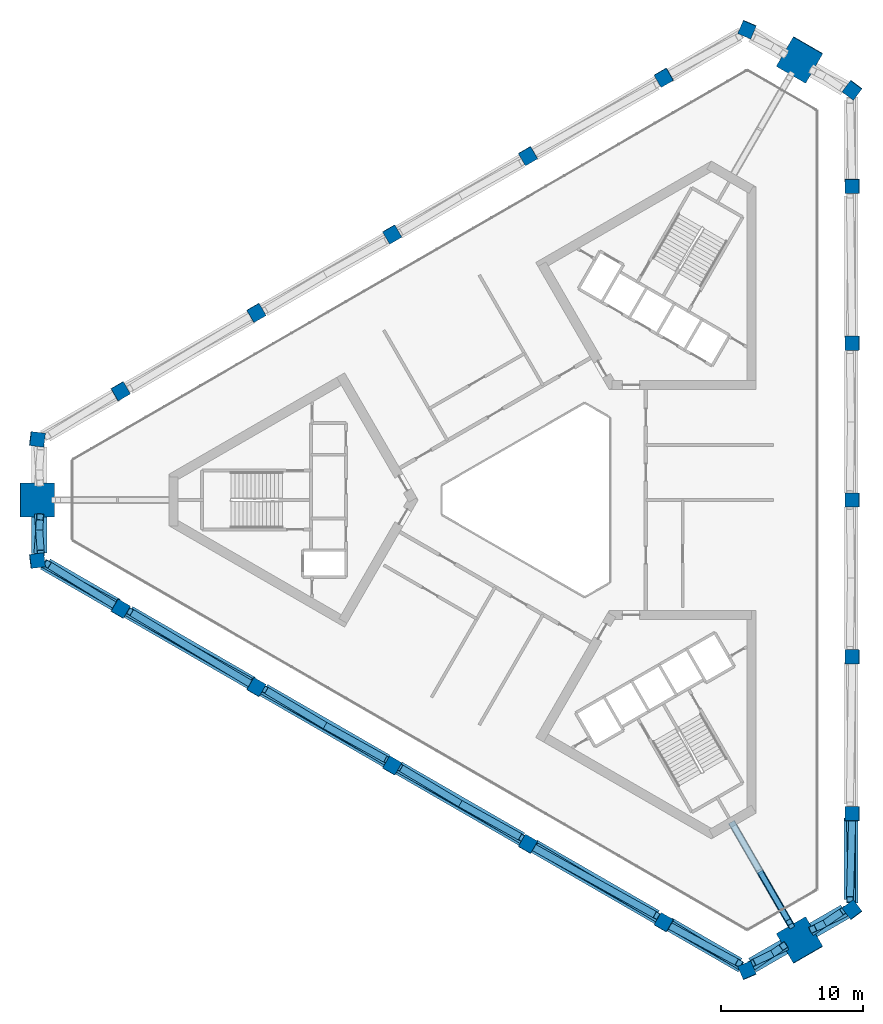
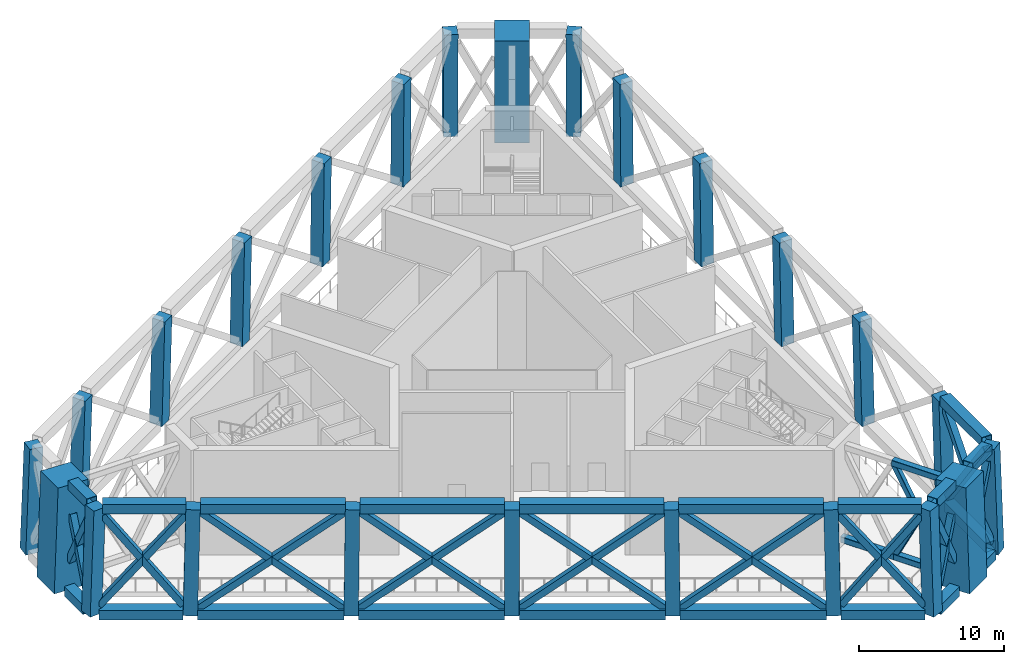
# One storey, part 1 of 8: 45 members, 24 columns.
"""IFC4 building model written with IfcOpenShell, lengths in metres."""

import ifcopenshell
import ifcopenshell.guid

model = None  # the IFC model being written
_history = None  # IfcOwnerHistory: only IFC2X3 demands one
_inside = {}  # id of a spatial element -> (the spatial element, [elements in it])
_under = {}  # id of a project, library or spatial element -> (it, [spatial elements below it])
_declared = {}  # id of a project -> (the project, [libraries it declares])
_typed = {}  # id of a type object -> (the type object, [elements of that type])
_made_of = {}  # id of a material, layer set ... -> (it, [elements and type objects made of it])


def new_model(schema):
    """Start an empty IFC model of exactly this schema.

    Asked for "IFC4X3", IfcOpenShell would pick the latest addendum, in which some entities
    have other attributes; the version numbers below select the first issue.
    IFC2X3 requires an IfcOwnerHistory on every rooted entity: one is made here for all.
    """
    global model, _history
    if schema == "IFC4X3":
        model = ifcopenshell.file(schema_version=(4, 3, 0, 0))
    else:
        model = ifcopenshell.file(schema=schema)
    _inside.clear()
    _under.clear()
    _declared.clear()
    _typed.clear()
    _made_of.clear()
    _history = None
    if model.schema == "IFC2X3":
        org = make("IfcOrganization", Name="unknown")
        user = make(
            "IfcPersonAndOrganization",
            ThePerson=make("IfcPerson", FamilyName="unknown"),
            TheOrganization=org,
        )
        app = make(
            "IfcApplication",
            ApplicationDeveloper=org,
            Version="unknown",
            ApplicationFullName="unknown",
            ApplicationIdentifier="unknown",
        )
        _history = make(
            "IfcOwnerHistory",
            OwningUser=user,
            OwningApplication=app,
            ChangeAction="ADDED",
            CreationDate=0,
        )
    return model


def make(cls, **values):
    """One entity of the class cls with the attributes given. An attribute that is None is left unset."""
    return model.create_entity(
        cls, **{name: value for name, value in values.items() if value is not None}
    )


def rooted(cls, **values):
    """An entity with a GlobalId (a new one), such as an element, a storey or a relation."""
    return make(cls, GlobalId=ifcopenshell.guid.new(), OwnerHistory=_history, **values)


def si_unit(unit_type, name, prefix=None):
    """IfcSIUnit, for example si_unit("LENGTHUNIT", "METRE", prefix="MILLI")."""
    return make("IfcSIUnit", UnitType=unit_type, Prefix=prefix, Name=name)


def assignment(units):
    """IfcUnitAssignment: the units of a project."""
    return None if units is None else make("IfcUnitAssignment", Units=units)


def point(xyz):
    """IfcCartesianPoint."""
    return None if xyz is None else make("IfcCartesianPoint", Coordinates=xyz)


def direction(xyz):
    """IfcDirection."""
    return None if xyz is None else make("IfcDirection", DirectionRatios=xyz)


def frame(location, z_axis=None, x_axis=None):
    """IfcAxis2Placement3D, a coordinate frame: its origin and axes. An axis left out is left unset."""
    return make(
        "IfcAxis2Placement3D",
        Location=point(location),
        Axis=direction(z_axis),
        RefDirection=direction(x_axis),
    )


def frame_2d(location, x_axis=None):
    """IfcAxis2Placement2D, a coordinate frame in the plane: its origin and x axis."""
    return make(
        "IfcAxis2Placement2D", Location=point(location), RefDirection=direction(x_axis)
    )


def origin():
    """The frame at (0, 0, 0) with its axes left unset."""
    return frame((0.0, 0.0, 0.0))


def origin_2d():
    """The frame at (0, 0) in the plane with its x axis left unset."""
    return frame_2d((0.0, 0.0))


def place(relative_to, where):
    """IfcLocalPlacement: puts the frame where relative to a parent placement (None: the world)."""
    return make(
        "IfcLocalPlacement", PlacementRelTo=relative_to, RelativePlacement=where
    )


def context(
    kind, dimensions, precision=None, world=None, true_north=None, identifier=None
):
    """IfcGeometricRepresentationContext, for example the 3D "Model" context."""
    return make(
        "IfcGeometricRepresentationContext",
        ContextIdentifier=identifier,
        ContextType=kind,
        CoordinateSpaceDimension=dimensions,
        Precision=precision,
        WorldCoordinateSystem=world,
        TrueNorth=true_north,
    )


def subcontext(parent, identifier, kind, view, scale=None):
    """IfcGeometricRepresentationSubContext, for example "Body" below "Model"."""
    return make(
        "IfcGeometricRepresentationSubContext",
        ContextIdentifier=identifier,
        ContextType=kind,
        ParentContext=parent,
        TargetScale=scale,
        TargetView=view,
    )


def project(units=None, contexts=None):
    """IfcProject with its units and contexts."""
    return rooted(
        "IfcProject",
        Name="project",
        RepresentationContexts=contexts,
        UnitsInContext=assignment(units),
    )


def spatial(cls, under=None, at=None, **own):
    """A site, building, storey or space (cls), placed at a placement, below another one or the project."""
    s = rooted(cls, ObjectPlacement=at, **own)
    if under is not None:
        _under.setdefault(under.id(), (under, []))[1].append(s)
    return s


def profile(cls, at=None, kind="AREA", **sizes):
    """A parametric profile (cls). Its sizes go by their IFC names, for example OverallWidth=200.0."""
    return make(cls, ProfileType=kind, Position=at, **sizes)


def rectangle(**sizes):
    """IfcRectangleProfileDef."""
    return profile("IfcRectangleProfileDef", **sizes)


def hollow_rectangle(**sizes):
    """IfcRectangleHollowProfileDef."""
    return profile("IfcRectangleHollowProfileDef", **sizes)


def extrude(swept, where, along, depth):
    """IfcExtrudedAreaSolid: the profile swept, set in the frame where, extruded along a direction by depth."""
    return make(
        "IfcExtrudedAreaSolid",
        SweptArea=swept,
        Position=where,
        ExtrudedDirection=direction(along),
        Depth=depth,
    )


def shape(context_of_items, identifier, shape_type, items):
    """IfcShapeRepresentation: the items that make up one representation, for example the "Body"."""
    return make(
        "IfcShapeRepresentation",
        ContextOfItems=context_of_items,
        RepresentationIdentifier=identifier,
        RepresentationType=shape_type,
        Items=items,
    )


def material(Name=None, Category=None):
    """IfcMaterial."""
    return make("IfcMaterial", Name=Name, Category=Category)


def material_profile(
    of_material, cross_section, Name=None, Category=None, Priority=None
):
    """IfcMaterialProfile: a cross section and its material."""
    return make(
        "IfcMaterialProfile",
        Name=Name,
        Material=of_material,
        Profile=cross_section,
        Priority=Priority,
        Category=Category,
    )


def profile_set(profiles, Name=None, composite=None):
    """IfcMaterialProfileSet."""
    return make(
        "IfcMaterialProfileSet",
        Name=Name,
        MaterialProfiles=profiles,
        CompositeProfile=composite,
    )


def made_of(thing, what):
    """Note that an element or type object is made of a material, layer set ...; save() writes the relation."""
    if what is not None:
        _made_of.setdefault(what.id(), (what, []))[1].append(thing)
    return thing


def type_object(cls, material=None, **own):
    """A type object (cls), such as IfcWallType, which elements share."""
    return made_of(rooted(cls, **own), material)


def element(
    cls,
    number,
    at=None,
    inside=None,
    cuts=None,
    type_object=None,
    material=None,
    context=None,
    identifier="Body",
    shape_type=None,
    held_by="IfcProductDefinitionShape",
    body=None,
    shapes=None,
    **own,
):
    """One element of the class cls, such as IfcWall. Its Tag is "e" and its number.

    at: its placement. inside: the storey or other place that contains it. cuts: it is an
    opening in that element (IfcRelVoidsElement). A single representation is given by context,
    identifier, shape_type and body (its items); several are given by shapes. held_by: the class
    of the entity that holds the representations. save() writes the other relations.
    """
    e = rooted(cls, Tag="e%d" % number, ObjectPlacement=at, **own)
    if body is not None:
        shapes = [shape(context, identifier, shape_type, body)]
    if shapes is not None:
        e.Representation = make(held_by, Representations=shapes)
    if inside is not None:
        _inside.setdefault(inside.id(), (inside, []))[1].append(e)
    if cuts is not None:
        rooted(
            "IfcRelVoidsElement", RelatingBuildingElement=cuts, RelatedOpeningElement=e
        )
    if type_object is not None:
        _typed.setdefault(type_object.id(), (type_object, []))[1].append(e)
    return made_of(e, material)


def aggregate(whole, parts):
    """IfcRelAggregates: a whole, such as a stair, and the parts it consists of."""
    return rooted("IfcRelAggregates", RelatingObject=whole, RelatedObjects=parts)


def save(model, path):
    """Write the relations noted so far, then the file.

    IfcRelAggregates (storeys below a building ...), IfcRelContainedInSpatialStructure (elements
    in a storey), IfcRelDefinesByType, IfcRelAssociatesMaterial and IfcRelDeclares: one each for
    every whole, place, type object, material and project.
    """
    for whole, parts in _under.values():
        aggregate(whole, parts)
    for where, things in _inside.values():
        rooted(
            "IfcRelContainedInSpatialStructure",
            RelatedElements=things,
            RelatingStructure=where,
        )
    for kind, things in _typed.values():
        rooted("IfcRelDefinesByType", RelatedObjects=things, RelatingType=kind)
    for what, things in _made_of.values():
        rooted("IfcRelAssociatesMaterial", RelatedObjects=things, RelatingMaterial=what)
    for by, libraries in _declared.values():
        rooted("IfcRelDeclares", RelatingContext=by, RelatedDefinitions=libraries)
    model.write(path)


model = new_model("IFC4")

# Units and contexts
model_context = context("Model", 3, precision=1e-05, world=origin(), true_north=direction((0.0, 1.0)))
body_context = subcontext(model_context, "Body", "Model", "MODEL_VIEW")
ifc_project = project(units=[si_unit("LENGTHUNIT", "METRE"), si_unit("AREAUNIT", "SQUARE_METRE"), si_unit("VOLUMEUNIT", "CUBIC_METRE"), si_unit("PLANEANGLEUNIT", "RADIAN"), si_unit("MASSUNIT", "GRAM", prefix="KILO")], contexts=[model_context])

# Site, building, storey
site_placement = place(None, origin())
site = spatial("IfcSite", under=ifc_project, at=site_placement, CompositionType="ELEMENT")
building_placement = place(site_placement, origin())
building = spatial("IfcBuilding", under=site, at=building_placement, Name="Jabali Bay Hotel Tower and Convention Centre", CompositionType="ELEMENT")
storey_placement = place(building_placement, frame((0.0, 0.0, 147.5)))
storey = spatial("IfcBuildingStorey", under=building, at=storey_placement, Name="L36", CompositionType="ELEMENT", Elevation=147.5)

# Columns
ifc_material_1 = material(Name="Concrete C60", Category="concrete")
ifc_material_profile_1 = material_profile(ifc_material_1, rectangle(XDim=1.0, YDim=1.0, at=origin_2d()), Name="Frame column 1000")
ifc_profile_set_1 = profile_set([ifc_material_profile_1], Name="Concrete C60")
column_type_1 = type_object("IfcColumnType", Name="Frame column 1000", PredefinedType="COLUMN", material=ifc_profile_set_1)
column_1_placement = place(storey_placement, frame((83.3642578125, 109.860595703125, 0.0), z_axis=(-0.008374802331, -0.02814710055, 0.999568708702), x_axis=(0.865904872114, 0.499753825252, 0.02132760172)))
element("IfcColumn", 1, at=column_1_placement, inside=storey, type_object=column_type_1, Name="FC3 F1.1 L36", PredefinedType="COLUMN", context=body_context, shape_type="SweptSolid", body=[
    extrude(rectangle(XDim=1.0, YDim=1.0, at=origin_2d()), origin(), (0.0, 0.0, 1.0), 8.803955078125),
])
column_2_placement = place(storey_placement, frame((73.7626953125, 104.31689453125, 0.0), z_axis=(0.0008598122, -0.022798891243, 0.999739701763), x_axis=(0.865987159052, 0.499952675969, 0.010656554244)))
element("IfcColumn", 2, at=column_2_placement, inside=storey, type_object=column_type_1, Name="FC3 F1.2 L36", PredefinedType="COLUMN", context=body_context, shape_type="SweptSolid", body=[
    extrude(rectangle(XDim=1.0, YDim=1.0, at=origin_2d()), origin(), (0.0, 0.0, 1.0), 8.80224609375),
])
column_3_placement = place(storey_placement, frame((64.1611328125, 98.7734375, 0.0), z_axis=(0.010096431238, -0.017474592527, 0.999796329605), x_axis=(0.865863388405, 0.500280513932, 6.7982e-08)))
element("IfcColumn", 3, at=column_3_placement, inside=storey, type_object=column_type_1, Name="FC3 F1.3 L36", PredefinedType="COLUMN", context=body_context, shape_type="SweptSolid", body=[
    extrude(rectangle(XDim=1.0, YDim=1.0, at=origin_2d()), origin(), (0.0, 0.0, 1.0), 8.8017578125),
])
column_4_placement = place(storey_placement, frame((54.5595703125, 93.22998046875, 0.0), z_axis=(0.01933189907, -0.012148309602, 0.999739314148), x_axis=(-0.499948954406, 0.86581953587, 0.020188469356)))
element("IfcColumn", 4, at=column_4_placement, inside=storey, type_object=column_type_1, Name="FC3 F1.4 L36", PredefinedType="COLUMN", context=body_context, shape_type="SweptSolid", body=[
    extrude(rectangle(XDim=1.0, YDim=1.0, at=origin_2d()), origin(), (0.0, 0.0, 1.0), 8.80224609375),
])
for number, where, z_axis, x_axis, name in (
    (5, (44.9580078125, 87.6865234375, 0.0), (0.028535359154, -0.006821864288, 0.99956950506), (-0.499430588716, 0.866119109695, 0.020168660751), "FC3 F1.5 L36"),
    (6, (44.9580078125, 72.3134765625, 0.0), (0.028535359154, 0.006821864288, 0.99956950506), (-0.865883837667, 0.499791106353, 0.021307972168), "FC3 F2.1 L36"),
):
    element("IfcColumn", number, at=place(storey_placement, frame(where, z_axis=z_axis, x_axis=x_axis)), inside=storey, type_object=column_type_1, Name=name, PredefinedType="COLUMN", context=body_context, shape_type="SweptSolid", body=[
        extrude(rectangle(XDim=1.0, YDim=1.0, at=origin_2d()), origin(), (0.0, 0.0, 1.0), 8.803955078125),
    ])
column_5_placement = place(storey_placement, frame((54.5595703125, 66.77001953125, 0.0), z_axis=(0.01933189907, 0.012148309602, 0.999739314148), x_axis=(-0.865839084742, 0.500208906238, 0.010664401197)))
element("IfcColumn", 7, at=column_5_placement, inside=storey, type_object=column_type_1, Name="FC3 F2.2 L36", PredefinedType="COLUMN", context=body_context, shape_type="SweptSolid", body=[
    extrude(rectangle(XDim=1.0, YDim=1.0, at=origin_2d()), origin(), (0.0, 0.0, 1.0), 8.80224609375),
])
column_6_placement = place(storey_placement, frame((64.1611328125, 61.2265625, 0.0), z_axis=(0.010096431238, 0.017474592527, 0.999796329605), x_axis=(-0.50017862279, -0.865687036981, 0.020181657705)))
element("IfcColumn", 8, at=column_6_placement, inside=storey, type_object=column_type_1, Name="FC3 F2.3 L36", PredefinedType="COLUMN", context=body_context, shape_type="SweptSolid", body=[
    extrude(rectangle(XDim=1.0, YDim=1.0, at=origin_2d()), origin(), (0.0, 0.0, 1.0), 8.8017578125),
])
column_7_placement = place(storey_placement, frame((73.7626953125, 55.68310546875, 0.0), z_axis=(0.0008598122, 0.022798891243, 0.999739701763), x_axis=(-0.500065496791, -0.865752581486, 0.020173412467)))
element("IfcColumn", 9, at=column_7_placement, inside=storey, type_object=column_type_1, Name="FC3 F2.4 L36", PredefinedType="COLUMN", context=body_context, shape_type="SweptSolid", body=[
    extrude(rectangle(XDim=1.0, YDim=1.0, at=origin_2d()), origin(), (0.0, 0.0, 1.0), 8.80224609375),
])
for number, where, z_axis, x_axis, name in (
    (10, (83.3642578125, 50.139404296875, 0.0), (-0.008374802331, 0.02814710055, 0.999568708702), (-0.500138595926, -0.865710029327, 0.020187372002), "FC3 F2.5 L36"),
    (11, (96.677734375, 57.826171875, 0.0), (-0.020160557934, 0.021297535754, 0.99956989094), (-0.000170873434, -0.999773148321, 0.021298420112), "FC3 F0.1 L36"),
):
    element("IfcColumn", number, at=place(storey_placement, frame(where, z_axis=z_axis, x_axis=x_axis)), inside=storey, type_object=column_type_1, Name=name, PredefinedType="COLUMN", context=body_context, shape_type="SweptSolid", body=[
        extrude(rectangle(XDim=1.0, YDim=1.0, at=origin_2d()), origin(), (0.0, 0.0, 1.0), 8.803955078125),
    ])
column_8_placement = place(storey_placement, frame((96.677734375, 68.9130859375, 0.0), z_axis=(-0.020163988006, 0.010650579635, 0.999739955559), x_axis=(-6.8914813e-05, -0.999943270328, 0.010651355659)))
element("IfcColumn", 12, at=column_8_placement, inside=storey, type_object=column_type_1, Name="FC3 F0.2 L36", PredefinedType="COLUMN", context=body_context, shape_type="SweptSolid", body=[
    extrude(rectangle(XDim=1.0, YDim=1.0, at=origin_2d()), origin(), (0.0, 0.0, 1.0), 8.80224609375),
])
column_9_placement = place(storey_placement, frame((96.677734375, 80.0, 0.0), z_axis=(-0.020165131753, 0.0, 0.999796663058), x_axis=(0.0, -1.0, 0.0)))
element("IfcColumn", 13, at=column_9_placement, inside=storey, type_object=column_type_1, Name="FC3 F0.3 L36", PredefinedType="COLUMN", context=body_context, shape_type="SweptSolid", body=[
    extrude(rectangle(XDim=1.0, YDim=1.0, at=origin_2d()), origin(), (0.0, 0.0, 1.0), 8.8017578125),
])
column_10_placement = place(storey_placement, frame((96.677734375, 91.0869140625, 0.0), z_axis=(-0.020163988006, -0.010650579635, 0.999739955559), x_axis=(0.99979668375, -0.000145876916, 0.020163578093)))
element("IfcColumn", 14, at=column_10_placement, inside=storey, type_object=column_type_1, Name="FC3 F0.4 L36", PredefinedType="COLUMN", context=body_context, shape_type="SweptSolid", body=[
    extrude(rectangle(XDim=1.0, YDim=1.0, at=origin_2d()), origin(), (0.0, 0.0, 1.0), 8.80224609375),
])
column_11_placement = place(storey_placement, frame((96.677734375, 102.173828125, 0.0), z_axis=(-0.020160557934, -0.021297535754, 0.99956989094), x_axis=(0.999796740696, -0.000258588093, 0.02015962366)))
element("IfcColumn", 15, at=column_11_placement, inside=storey, type_object=column_type_1, Name="FC3 F0.5 L36", PredefinedType="COLUMN", context=body_context, shape_type="SweptSolid", body=[
    extrude(rectangle(XDim=1.0, YDim=1.0, at=origin_2d()), origin(), (0.0, 0.0, 1.0), 8.803955078125),
])
for number, where, z_axis, x_axis, name in (
    (16, (96.677734375, 51.025390625, 0.0), (-0.020156649843, 0.029001177078, 0.999376125988), (-0.800984201578, -0.598684244769, 0.001218149687), "FC3 V0 L36"),
    (17, (96.677734375, 108.974609375, 0.0), (-0.020156649843, -0.029001177078, 0.999376125988), (0.598346069002, 0.800459934534, 0.035296953355), "FC3 V1 L36"),
    (18, (89.25390625, 113.260986328125, 0.0), (-0.015027362188, -0.03199552761, 0.99937503701), (0.919252946371, -0.393665510561, 0.001219173193), "FC3 V2 L36"),
):
    element("IfcColumn", number, at=place(storey_placement, frame(where, z_axis=z_axis, x_axis=x_axis)), inside=storey, type_object=column_type_1, Name=name, PredefinedType="COLUMN", context=body_context, shape_type="SweptSolid", body=[
        extrude(rectangle(XDim=1.0, YDim=1.0, at=origin_2d()), origin(), (0.0, 0.0, 1.0), 8.8056640625),
    ])
for number, where, z_axis, x_axis, name in (
    (19, (39.068359375, 84.2861328125, 0.0), (0.035184039698, -0.002966660558, 0.999376446729), (-0.992352198715, 0.118287273807, 0.035287881217), "FC3 V3 L36"),
    (20, (39.068359375, 75.7138671875, 0.0), (0.035184039698, 0.002966660558, 0.999376446729), (-0.118318202556, 0.992974984469, 0.00121785201), "FC3 V4 L36"),
):
    element("IfcColumn", number, at=place(storey_placement, frame(where, z_axis=z_axis, x_axis=x_axis)), inside=storey, type_object=column_type_1, Name=name, PredefinedType="COLUMN", context=body_context, shape_type="SweptSolid", body=[
        extrude(rectangle(XDim=1.0, YDim=1.0, at=origin_2d()), origin(), (0.0, 0.0, 1.0), 8.805419921875),
    ])
column_12_placement = place(storey_placement, frame((89.25390625, 46.739013671875, 0.0), z_axis=(-0.015027362188, 0.03199552761, 0.99937503701), x_axis=(0.393380476097, -0.918696768258, 0.035327737234)))
element("IfcColumn", 21, at=column_12_placement, inside=storey, type_object=column_type_1, Name="FC3 V5 L36", PredefinedType="COLUMN", context=body_context, shape_type="SweptSolid", body=[
    extrude(rectangle(XDim=1.0, YDim=1.0, at=origin_2d()), origin(), (0.0, 0.0, 1.0), 8.8056640625),
])
ifc_material_2 = material(Name="Concrete C70", Category="concrete")
ifc_material_profile_2 = material_profile(ifc_material_2, rectangle(XDim=2.39990234375, YDim=2.39990234375, at=origin_2d()), Name="Mega column 2400")
ifc_profile_set_2 = profile_set([ifc_material_profile_2], Name="Concrete C70")
column_type_2 = type_object("IfcColumnType", Name="Mega column 2400", PredefinedType="COLUMN", material=ifc_profile_set_2)
for number, where, z_axis, x_axis, name in (
    (22, (92.9658203125, 111.11767578125, 0.0), (-0.017605955724, -0.030470780065, 0.999380589108), (0.865858623578, -0.500288760593, 7.9847e-08), "MC3 M1 L36"),
    (23, (39.068359375, 80.0, 0.0), (0.035184194527, 0.0, 0.999380844551), (0.0, 1.0, 0.0), "MC3 M0 L36"),
    (24, (92.9658203125, 48.88232421875, 0.0), (-0.017605955724, 0.030470780065, 0.999380589108), (0.499980264163, -0.865321499405, 0.035191449455), "MC3 M2 L36"),
):
    element("IfcColumn", number, at=place(storey_placement, frame(where, z_axis=z_axis, x_axis=x_axis)), inside=storey, type_object=column_type_2, Name=name, PredefinedType="COLUMN", context=body_context, shape_type="SweptSolid", body=[
        extrude(rectangle(XDim=2.39990234375, YDim=2.39990234375, at=origin_2d()), origin(), (0.0, 0.0, 1.0), 8.805419921875),
    ])

# Members
ifc_material_3 = material(Name="Steel Q420GJC", Category="steel")
ifc_material_profile_3 = material_profile(ifc_material_3, hollow_rectangle(XDim=0.5, YDim=0.5, WallThickness=0.030029296875, at=origin_2d()), Name="Belt brace 500x500x30")
ifc_profile_set_3 = profile_set([ifc_material_profile_3], Name="Steel Q420GJC")
member_type_1 = type_object("IfcMemberType", Name="Belt brace 500x500x30", PredefinedType="BRACE", material=ifc_profile_set_3)
member_1_placement = place(storey_placement, frame((39.1552734375, 78.80322265625, 2.472412109375), z_axis=(0.031717834213, -0.435508667413, 0.899625577449), x_axis=(0.997358443091, 0.072637015324, 0.0)))
element("IfcMember", 25, at=member_1_placement, inside=storey, type_object=member_type_1, Name="Belt brace T3 M0-V4 x1", PredefinedType="BRACE", context=body_context, shape_type="SweptSolid", body=[
    extrude(hollow_rectangle(XDim=0.5, YDim=0.5, WallThickness=0.030029296875, at=origin_2d()), origin(), (0.0, 0.0, 1.0), 5.888427734375),
])
member_2_placement = place(storey_placement, frame((39.104248046875, 76.21240234375, 1.02392578125), z_axis=(0.031676253401, 0.437693230588, 0.898566219523), x_axis=(-0.997391468623, 0.072182119101, 0.0)))
element("IfcMember", 26, at=member_2_placement, inside=storey, type_object=member_type_1, Name="Belt brace T3 M0-V4 x2", PredefinedType="BRACE", context=body_context, shape_type="SweptSolid", body=[
    extrude(hollow_rectangle(XDim=0.5, YDim=0.5, WallThickness=0.030029296875, at=origin_2d()), origin(), (0.0, 0.0, 1.0), 5.919189453125),
])
member_3_placement = place(storey_placement, frame((39.507568359375, 75.474853515625, 0.62939453125), z_axis=(0.546401618231, -0.29721915907, 0.783010883115), x_axis=(0.477838158357, 0.878447889415, 0.0)))
element("IfcMember", 27, at=member_3_placement, inside=storey, type_object=member_type_1, Name="Belt brace T3 V4-F2.1 x1", PredefinedType="BRACE", context=body_context, shape_type="SweptSolid", body=[
    extrude(hollow_rectangle(XDim=0.5, YDim=0.5, WallThickness=0.030029296875, at=origin_2d()), origin(), (0.0, 0.0, 1.0), 9.631103515625),
])
member_4_placement = place(storey_placement, frame((44.53173828125, 72.5751953125, 0.671875), z_axis=(-0.508670400837, 0.312379266454, 0.802292725382), x_axis=(-0.52330900872, -0.852142993512, 0.0)))
element("IfcMember", 28, at=member_4_placement, inside=storey, type_object=member_type_1, Name="Belt brace T3 V4-F2.1 x2", PredefinedType="BRACE", context=body_context, shape_type="SweptSolid", body=[
    extrude(hollow_rectangle(XDim=0.5, YDim=0.5, WallThickness=0.030029296875, at=origin_2d()), origin(), (0.0, 0.0, 1.0), 9.29345703125),
])
member_5_placement = place(storey_placement, frame((45.394775390625, 72.0703125, 0.3935546875), z_axis=(0.686721551989, -0.382062583265, 0.618418703228), x_axis=(0.486178247297, 0.873859663707, 0.0)))
element("IfcMember", 29, at=member_5_placement, inside=storey, type_object=member_type_1, Name="Belt brace T3 F2.1-F2.2 x1", PredefinedType="BRACE", context=body_context, shape_type="SweptSolid", body=[
    extrude(hollow_rectangle(XDim=0.5, YDim=0.5, WallThickness=0.030029296875, at=origin_2d()), origin(), (0.0, 0.0, 1.0), 12.95703125),
])
member_6_placement = place(storey_placement, frame((54.130615234375, 67.02685546875, 0.403564453125), z_axis=(-0.667417396872, 0.399989951778, 0.628141748995), x_axis=(-0.514060535128, -0.857753907729, 0.0)))
element("IfcMember", 30, at=member_6_placement, inside=storey, type_object=member_type_1, Name="Belt brace T3 F2.1-F2.2 x2", PredefinedType="BRACE", context=body_context, shape_type="SweptSolid", body=[
    extrude(hollow_rectangle(XDim=0.5, YDim=0.5, WallThickness=0.030029296875, at=origin_2d()), origin(), (0.0, 0.0, 1.0), 12.724365234375),
])
member_7_placement = place(storey_placement, frame((54.99658203125, 66.52685546875, 0.396728515625), z_axis=(0.684542449385, -0.380733138455, 0.621646131068), x_axis=(0.48606409793, 0.873923161785, 0.0)))
element("IfcMember", 31, at=member_7_placement, inside=storey, type_object=member_type_1, Name="Belt brace T3 F2.2-F2.3 x1", PredefinedType="BRACE", context=body_context, shape_type="SweptSolid", body=[
    extrude(hollow_rectangle(XDim=0.5, YDim=0.5, WallThickness=0.030029296875, at=origin_2d()), origin(), (0.0, 0.0, 1.0), 12.879150390625),
])
member_8_placement = place(storey_placement, frame((63.732177734375, 61.4833984375, 0.400146484375), z_axis=(-0.669723943312, 0.401227918542, 0.624888787815), x_axis=(-0.513924475199, -0.857835435146, 0.0)))
element("IfcMember", 32, at=member_8_placement, inside=storey, type_object=member_type_1, Name="Belt brace T3 F2.2-F2.3 x2", PredefinedType="BRACE", context=body_context, shape_type="SweptSolid", body=[
    extrude(hollow_rectangle(XDim=0.5, YDim=0.5, WallThickness=0.030029296875, at=origin_2d()), origin(), (0.0, 0.0, 1.0), 12.802001953125),
])
member_9_placement = place(storey_placement, frame((64.59814453125, 60.9833984375, 0.400146484375), z_axis=(0.682335261917, -0.379376040843, 0.624893918981), x_axis=(0.485937417008, 0.873993607958, 0.0)))
element("IfcMember", 33, at=member_9_placement, inside=storey, type_object=member_type_1, Name="Belt brace T3 F2.3-F2.4 x1", PredefinedType="BRACE", context=body_context, shape_type="SweptSolid", body=[
    extrude(hollow_rectangle(XDim=0.5, YDim=0.5, WallThickness=0.030029296875, at=origin_2d()), origin(), (0.0, 0.0, 1.0), 12.8017578125),
])
member_10_placement = place(storey_placement, frame((73.333740234375, 55.93994140625, 0.396728515625), z_axis=(-0.671991516714, 0.402474580617, 0.621644282063), x_axis=(-0.513819412398, -0.857898368948, 0.0)))
element("IfcMember", 34, at=member_10_placement, inside=storey, type_object=member_type_1, Name="Belt brace T3 F2.3-F2.4 x2", PredefinedType="BRACE", context=body_context, shape_type="SweptSolid", body=[
    extrude(hollow_rectangle(XDim=0.5, YDim=0.5, WallThickness=0.030029296875, at=origin_2d()), origin(), (0.0, 0.0, 1.0), 12.87939453125),
])
member_11_placement = place(storey_placement, frame((74.19970703125, 55.440185546875, 0.403564453125), z_axis=(0.680100698649, -0.378021327224, 0.628142432782), x_axis=(0.485827163306, 0.874054899531, 0.0)))
element("IfcMember", 35, at=member_11_placement, inside=storey, type_object=member_type_1, Name="Belt brace T3 F2.4-F2.5 x1", PredefinedType="BRACE", context=body_context, shape_type="SweptSolid", body=[
    extrude(hollow_rectangle(XDim=0.5, YDim=0.5, WallThickness=0.030029296875, at=origin_2d()), origin(), (0.0, 0.0, 1.0), 12.724365234375),
])
member_12_placement = place(storey_placement, frame((82.935302734375, 50.396484375, 0.3935546875), z_axis=(-0.674235992286, 0.403678615509, 0.618424936501), x_axis=(-0.513688059021, -0.85797702651, 0.0)))
element("IfcMember", 36, at=member_12_placement, inside=storey, type_object=member_type_1, Name="Belt brace T3 F2.4-F2.5 x2", PredefinedType="BRACE", context=body_context, shape_type="SweptSolid", body=[
    extrude(hollow_rectangle(XDim=0.5, YDim=0.5, WallThickness=0.030029296875, at=origin_2d()), origin(), (0.0, 0.0, 1.0), 12.95703125),
])
member_13_placement = place(storey_placement, frame((83.803955078125, 49.9013671875, 0.671875), z_axis=(0.5248722981, -0.284345232965, 0.80228228148), x_axis=(0.476334184303, 0.87926432025, 0.0)))
element("IfcMember", 37, at=member_13_placement, inside=storey, type_object=member_type_1, Name="Belt brace T3 F2.5-V5 x1", PredefinedType="BRACE", context=body_context, shape_type="SweptSolid", body=[
    extrude(hollow_rectangle(XDim=0.5, YDim=0.5, WallThickness=0.030029296875, at=origin_2d()), origin(), (0.0, 0.0, 1.0), 9.29345703125),
])
member_14_placement = place(storey_placement, frame((88.827392578125, 47.0, 0.62939453125), z_axis=(-0.53060515702, 0.324593877109, 0.783005097229), x_axis=(-0.521842282181, -0.853041987553, 0.0)))
element("IfcMember", 38, at=member_14_placement, inside=storey, type_object=member_type_1, Name="Belt brace T3 F2.5-V5 x2", PredefinedType="BRACE", context=body_context, shape_type="SweptSolid", body=[
    extrude(hollow_rectangle(XDim=0.5, YDim=0.5, WallThickness=0.030029296875, at=origin_2d()), origin(), (0.0, 0.0, 1.0), 9.631103515625),
])
member_15_placement = place(storey_placement, frame((89.667724609375, 47.019775390625, 1.02392578125), z_axis=(0.363210049995, 0.246237110887, 0.898579848875), x_axis=(-0.561147389279, 0.827715897821, 0.0)))
element("IfcMember", 39, at=member_15_placement, inside=storey, type_object=member_type_1, Name="Belt brace T3 V5-M2 x1", PredefinedType="BRACE", context=body_context, shape_type="SweptSolid", body=[
    extrude(hollow_rectangle(XDim=0.5, YDim=0.5, WallThickness=0.030029296875, at=origin_2d()), origin(), (0.0, 0.0, 1.0), 5.919189453125),
])
for number, where, z_axis, x_axis, name in (
    (40, (91.8857421875, 48.359130859375, 2.472412109375), (-0.39301081435, -0.190306956205, 0.899625345477), (0.435821502568, -0.900033120446, 0.0), "Belt brace T3 V5-M2 x2"),
    (41, (93.958740234375, 49.55615234375, 2.472412109375), (0.361332250692, 0.24520010678, 0.899619870971), (-0.561517671197, 0.827464745432, 0.0), "Belt brace T3 M2-V0 x1"),
):
    element("IfcMember", number, at=place(storey_placement, frame(where, z_axis=z_axis, x_axis=x_axis)), inside=storey, type_object=member_type_1, Name=name, PredefinedType="BRACE", context=body_context, shape_type="SweptSolid", body=[
        extrude(hollow_rectangle(XDim=0.5, YDim=0.5, WallThickness=0.030029296875, at=origin_2d()), origin(), (0.0, 0.0, 1.0), 5.888427734375),
    ])
member_16_placement = place(storey_placement, frame((96.227783203125, 50.80712890625, 1.02392578125), z_axis=(-0.394847326902, -0.191422380043, 0.898583919763), x_axis=(0.436238912598, -0.899830879185, 0.0)))
element("IfcMember", 42, at=member_16_placement, inside=storey, type_object=member_type_1, Name="Belt brace T3 M2-V0 x2", PredefinedType="BRACE", context=body_context, shape_type="SweptSolid", body=[
    extrude(hollow_rectangle(XDim=0.5, YDim=0.5, WallThickness=0.030029296875, at=origin_2d()), origin(), (0.0, 0.0, 1.0), 5.919189453125),
])
member_17_placement = place(storey_placement, frame((96.6650390625, 51.525146484375, 0.62939453125), z_axis=(-0.01579246236, 0.621812362265, 0.783007014187), x_axis=(-0.999677640137, -0.025389285357, 0.0)))
element("IfcMember", 43, at=member_17_placement, inside=storey, type_object=member_type_1, Name="Belt brace T3 V0-F0.1 x1", PredefinedType="BRACE", context=body_context, shape_type="SweptSolid", body=[
    extrude(hollow_rectangle(XDim=0.5, YDim=0.5, WallThickness=0.030029296875, at=origin_2d()), origin(), (0.0, 0.0, 1.0), 9.631103515625),
])
member_18_placement = place(storey_placement, frame((96.664306640625, 57.326171875, 0.671875), z_axis=(-0.016208560649, -0.596721969435, 0.802284347196), x_axis=(0.999631298749, -0.027152652931, 0.0)))
element("IfcMember", 44, at=member_18_placement, inside=storey, type_object=member_type_1, Name="Belt brace T3 V0-F0.1 x2", PredefinedType="BRACE", context=body_context, shape_type="SweptSolid", body=[
    extrude(hollow_rectangle(XDim=0.5, YDim=0.5, WallThickness=0.030029296875, at=origin_2d()), origin(), (0.0, 0.0, 1.0), 9.29345703125),
])
ifc_material_profile_4 = material_profile(ifc_material_3, hollow_rectangle(XDim=0.800048828125, YDim=0.800048828125, WallThickness=0.0400390625, at=origin_2d()), Name="Belt chord 800x800x40")
ifc_profile_set_4 = profile_set([ifc_material_profile_4], Name="Steel Q420GJC")
member_type_2 = type_object("IfcMemberType", Name="Belt chord 800x800x40", PredefinedType="CHORD", material=ifc_profile_set_4)
member_19_placement = place(storey_placement, frame((39.068359375, 78.800048828125, 0.0), z_axis=(0.0, -1.0, 0.0), x_axis=(1.0, 0.0, 0.0)))
element("IfcMember", 45, at=member_19_placement, inside=storey, type_object=member_type_2, Name="Belt chord T3 M0-V4", PredefinedType="CHORD", context=body_context, shape_type="SweptSolid", body=[
    extrude(hollow_rectangle(XDim=0.800048828125, YDim=0.800048828125, WallThickness=0.0400390625, at=origin_2d()), origin(), (0.0, 0.0, 1.0), 2.586181640625),
])
member_20_placement = place(storey_placement, frame((39.501220703125, 75.4638671875, 0.0), z_axis=(0.86602789119, -0.499995691662, 0.0), x_axis=(0.499995691662, 0.86602789119, 0.0)))
element("IfcMember", 46, at=member_20_placement, inside=storey, type_object=member_type_2, Name="Belt chord T3 V4-F2.1", PredefinedType="CHORD", context=body_context, shape_type="SweptSolid", body=[
    extrude(hollow_rectangle(XDim=0.800048828125, YDim=0.800048828125, WallThickness=0.0400390625, at=origin_2d()), origin(), (0.0, 0.0, 1.0), 5.80078125),
])
for number, where, z_axis, x_axis, name in (
    (47, (45.390869140625, 72.0634765625, 0.0), (0.866027185264, -0.499996914373, 0.0), (0.499996914373, 0.866027185264, 0.0), "Belt chord T3 F2.1-F2.2"),
    (48, (54.992431640625, 66.52001953125, 0.0), (0.866027185264, -0.499996914373, 0.0), (0.499996914373, 0.866027185264, 0.0), "Belt chord T3 F2.2-F2.3"),
    (49, (64.593994140625, 60.9765625, 0.0), (0.866027185264, -0.499996914373, 0.0), (0.499996914373, 0.866027185264, 0.0), "Belt chord T3 F2.3-F2.4"),
    (50, (74.19580078125, 55.43310546875, 0.0), (0.866010653431, -0.500025547491, 0.0), (0.500025547491, 0.866010653431, 0.0), "Belt chord T3 F2.4-F2.5"),
):
    element("IfcMember", number, at=place(storey_placement, frame(where, z_axis=z_axis, x_axis=x_axis)), inside=storey, type_object=member_type_2, Name=name, PredefinedType="CHORD", context=body_context, shape_type="SweptSolid", body=[
        extrude(hollow_rectangle(XDim=0.800048828125, YDim=0.800048828125, WallThickness=0.0400390625, at=origin_2d()), origin(), (0.0, 0.0, 1.0), 10.0869140625),
    ])
member_21_placement = place(storey_placement, frame((83.79736328125, 49.889404296875, 0.0), z_axis=(0.866017369001, -0.500013916395, 0.0), x_axis=(0.500013916395, 0.866017369001, 0.0)))
element("IfcMember", 51, at=member_21_placement, inside=storey, type_object=member_type_2, Name="Belt chord T3 F2.5-V5", PredefinedType="CHORD", context=body_context, shape_type="SweptSolid", body=[
    extrude(hollow_rectangle(XDim=0.800048828125, YDim=0.800048828125, WallThickness=0.0400390625, at=origin_2d()), origin(), (0.0, 0.0, 1.0), 5.800537109375),
])
for number, where, z_axis, x_axis, name in (
    (52, (89.68701171875, 46.989013671875, 0.0), (0.865985912775, 0.500068394197, 0.0), (-0.500068394197, 0.865985912775, 0.0), "Belt chord T3 V5-M2"),
    (53, (94.005126953125, 49.482177734375, 0.0), (0.866009517829, 0.500027514273, 0.0), (-0.500027514273, 0.866009517829, 0.0), "Belt chord T3 M2-V0"),
):
    element("IfcMember", number, at=place(storey_placement, frame(where, z_axis=z_axis, x_axis=x_axis)), inside=storey, type_object=member_type_2, Name=name, PredefinedType="CHORD", context=body_context, shape_type="SweptSolid", body=[
        extrude(hollow_rectangle(XDim=0.800048828125, YDim=0.800048828125, WallThickness=0.0400390625, at=origin_2d()), origin(), (0.0, 0.0, 1.0), 2.586181640625),
    ])
member_22_placement = place(storey_placement, frame((96.677734375, 51.525390625, 0.0), z_axis=(0.0, 1.0, 0.0), x_axis=(-1.0, 0.0, 0.0)))
element("IfcMember", 54, at=member_22_placement, inside=storey, type_object=member_type_2, Name="Belt chord T3 V0-F0.1", PredefinedType="CHORD", context=body_context, shape_type="SweptSolid", body=[
    extrude(hollow_rectangle(XDim=0.800048828125, YDim=0.800048828125, WallThickness=0.0400390625, at=origin_2d()), origin(), (0.0, 0.0, 1.0), 5.80078125),
])
member_23_placement = place(storey_placement, frame((39.378173828125, 78.800048828125, 8.800048828125), z_axis=(0.0, -1.0, 0.0), x_axis=(1.0, 0.0, 0.0)))
element("IfcMember", 55, at=member_23_placement, inside=storey, type_object=member_type_2, Name="Belt chord T3 M0-V4", PredefinedType="CHORD", context=body_context, shape_type="SweptSolid", body=[
    extrude(hollow_rectangle(XDim=0.800048828125, YDim=0.800048828125, WallThickness=0.0400390625, at=origin_2d()), origin(), (0.0, 0.0, 1.0), 2.56005859375),
])
member_24_placement = place(storey_placement, frame((39.811279296875, 75.489990234375, 8.800048828125), z_axis=(0.866035958826, -0.499981717686, 0.0), x_axis=(0.499981717686, 0.866035958826, 0.0)))
element("IfcMember", 56, at=member_24_placement, inside=storey, type_object=member_type_2, Name="Belt chord T3 V4-F2.1", PredefinedType="CHORD", context=body_context, shape_type="SweptSolid", body=[
    extrude(hollow_rectangle(XDim=0.800048828125, YDim=0.800048828125, WallThickness=0.0400390625, at=origin_2d()), origin(), (0.0, 0.0, 1.0), 5.733154296875),
])
for number, where, z_axis, x_axis, name in (
    (57, (45.642333984375, 72.12353515625, 8.800048828125), (0.866024476463, -0.500001606164, 0.0), (0.500001606164, 0.866024476463, 0.0), "Belt chord T3 F2.1-F2.2"),
    (58, (55.16259765625, 66.626953125, 8.800048828125), (0.866024476463, -0.500001606164, 0.0), (0.500001606164, 0.866024476463, 0.0), "Belt chord T3 F2.2-F2.3"),
    (59, (64.682861328125, 61.13037109375, 8.800048828125), (0.866024476463, -0.500001606164, 0.0), (0.500001606164, 0.866024476463, 0.0), "Belt chord T3 F2.3-F2.4"),
):
    element("IfcMember", number, at=place(storey_placement, frame(where, z_axis=z_axis, x_axis=x_axis)), inside=storey, type_object=member_type_2, Name=name, PredefinedType="CHORD", context=body_context, shape_type="SweptSolid", body=[
        extrude(hollow_rectangle(XDim=0.800048828125, YDim=0.800048828125, WallThickness=0.0400390625, at=origin_2d()), origin(), (0.0, 0.0, 1.0), 9.9931640625),
    ])
member_25_placement = place(storey_placement, frame((74.203369140625, 55.6337890625, 8.800048828125), z_axis=(0.86601836852, -0.500012185238, 0.0), x_axis=(0.500012185238, 0.86601836852, 0.0)))
element("IfcMember", 60, at=member_25_placement, inside=storey, type_object=member_type_2, Name="Belt chord T3 F2.4-F2.5", PredefinedType="CHORD", context=body_context, shape_type="SweptSolid", body=[
    extrude(hollow_rectangle(XDim=0.800048828125, YDim=0.800048828125, WallThickness=0.0400390625, at=origin_2d()), origin(), (0.0, 0.0, 1.0), 9.992919921875),
])
member_26_placement = place(storey_placement, frame((83.7236328125, 50.13720703125, 8.800048828125), z_axis=(0.866025312952, -0.500000157326, 0.0), x_axis=(0.500000157326, 0.866025312952, 0.0)))
element("IfcMember", 61, at=member_26_placement, inside=storey, type_object=member_type_2, Name="Belt chord T3 F2.5-V5", PredefinedType="CHORD", context=body_context, shape_type="SweptSolid", body=[
    extrude(hollow_rectangle(XDim=0.800048828125, YDim=0.800048828125, WallThickness=0.0400390625, at=origin_2d()), origin(), (0.0, 0.0, 1.0), 5.73291015625),
])
for number, where, z_axis, x_axis, name in (
    (62, (89.5546875, 47.270751953125, 8.800048828125), (0.866022009101, 0.500005879718, 0.0), (-0.500005879718, 0.866022009101, 0.0), "Belt chord T3 V5-M2"),
    (63, (93.85009765625, 49.750732421875, 8.800048828125), (0.866022009101, 0.500005879718, 0.0), (-0.500005879718, 0.866022009101, 0.0), "Belt chord T3 M2-V0"),
):
    element("IfcMember", number, at=place(storey_placement, frame(where, z_axis=z_axis, x_axis=x_axis)), inside=storey, type_object=member_type_2, Name=name, PredefinedType="CHORD", context=body_context, shape_type="SweptSolid", body=[
        extrude(hollow_rectangle(XDim=0.800048828125, YDim=0.800048828125, WallThickness=0.0400390625, at=origin_2d()), origin(), (0.0, 0.0, 1.0), 2.56005859375),
    ])
member_27_placement = place(storey_placement, frame((96.500244140625, 51.78076171875, 8.800048828125), z_axis=(0.0, 1.0, 0.0), x_axis=(-1.0, 0.0, 0.0)))
element("IfcMember", 64, at=member_27_placement, inside=storey, type_object=member_type_2, Name="Belt chord T3 V0-F0.1", PredefinedType="CHORD", context=body_context, shape_type="SweptSolid", body=[
    extrude(hollow_rectangle(XDim=0.800048828125, YDim=0.800048828125, WallThickness=0.0400390625, at=origin_2d()), origin(), (0.0, 0.0, 1.0), 5.73291015625),
])
ifc_material_profile_5 = material_profile(ifc_material_3, hollow_rectangle(XDim=0.39990234375, YDim=0.39990234375, WallThickness=0.011962890625, InnerFilletRadius=0.01806640625, OuterFilletRadius=0.030029296875, at=origin_2d()), Name="Outrigger brace 400x400x12")
ifc_profile_set_5 = profile_set([ifc_material_profile_5], Name="Steel Q420GJC")
member_type_3 = type_object("IfcMemberType", Name="Outrigger brace 400x400x12", PredefinedType="BRACE", material=ifc_profile_set_5)
member_28_placement = place(storey_placement, frame((90.250244140625, 53.585693359375, 0.25), z_axis=(0.224550353175, -0.388940885211, 0.893477546836), x_axis=(0.866030004343, 0.499992031514, 0.0)))
element("IfcMember", 65, at=member_28_placement, inside=storey, type_object=member_type_3, Name="Outrigger brace T3 3.2x1", PredefinedType="BRACE", context=body_context, shape_type="SweptSolid", body=[
    extrude(hollow_rectangle(XDim=0.39990234375, YDim=0.39990234375, WallThickness=0.011962890625, InnerFilletRadius=0.01806640625, OuterFilletRadius=0.030029296875, at=origin_2d()), origin(), (0.0, 0.0, 1.0), 8.785888671875),
])
member_29_placement = place(storey_placement, frame((92.361572265625, 49.92919921875, 0.25), z_axis=(-0.242810241025, 0.420533961277, 0.874182117334), x_axis=(-0.866012165801, -0.500022928159, 0.0)))
element("IfcMember", 66, at=member_29_placement, inside=storey, type_object=member_type_3, Name="Outrigger brace T3 3.2x2", PredefinedType="BRACE", context=body_context, shape_type="SweptSolid", body=[
    extrude(hollow_rectangle(XDim=0.39990234375, YDim=0.39990234375, WallThickness=0.011962890625, InnerFilletRadius=0.01806640625, OuterFilletRadius=0.030029296875, at=origin_2d()), origin(), (0.0, 0.0, 1.0), 8.97998046875),
])
ifc_material_profile_6 = material_profile(ifc_material_3, hollow_rectangle(XDim=0.5, YDim=0.5, WallThickness=0.01611328125, InnerFilletRadius=0.02392578125, OuterFilletRadius=0.0400390625, at=origin_2d()), Name="Outrigger chord 500x500x16")
ifc_profile_set_6 = profile_set([ifc_material_profile_6], Name="Steel Q420GJC")
member_type_4 = type_object("IfcMemberType", Name="Outrigger chord 500x500x16", PredefinedType="CHORD", material=ifc_profile_set_6)
member_30_placement = place(storey_placement, frame((88.13916015625, 57.242431640625, 0.25), z_axis=(0.499976047623, -0.866039232254, 0.0), x_axis=(0.866039232254, 0.499976047623, 0.0)))
element("IfcMember", 67, at=member_30_placement, inside=storey, type_object=member_type_4, Name="Outrigger chord T3 3.lo1", PredefinedType="CHORD", context=body_context, shape_type="SweptSolid", body=[
    extrude(hollow_rectangle(XDim=0.5, YDim=0.5, WallThickness=0.01611328125, InnerFilletRadius=0.02392578125, OuterFilletRadius=0.0400390625, at=origin_2d()), origin(), (0.0, 0.0, 1.0), 4.222412109375),
])
member_31_placement = place(storey_placement, frame((90.250244140625, 53.585693359375, 0.25), z_axis=(0.500044450781, -0.865999738593, 0.0), x_axis=(0.865999738593, 0.500044450781, 0.0)))
element("IfcMember", 68, at=member_31_placement, inside=storey, type_object=member_type_4, Name="Outrigger chord T3 3.lo2", PredefinedType="CHORD", context=body_context, shape_type="SweptSolid", body=[
    extrude(hollow_rectangle(XDim=0.5, YDim=0.5, WallThickness=0.01611328125, InnerFilletRadius=0.02392578125, OuterFilletRadius=0.0400390625, at=origin_2d()), origin(), (0.0, 0.0, 1.0), 4.22216796875),
])
member_32_placement = place(storey_placement, frame((90.18115234375, 53.70556640625, 8.10009765625), z_axis=(0.499970827278, -0.866042246008, 0.0), x_axis=(0.866042246008, 0.499970827278, 0.0)))
element("IfcMember", 69, at=member_32_placement, inside=storey, type_object=member_type_4, Name="Outrigger chord T3 3.hi2", PredefinedType="CHORD", context=body_context, shape_type="SweptSolid", body=[
    extrude(hollow_rectangle(XDim=0.5, YDim=0.5, WallThickness=0.01611328125, InnerFilletRadius=0.02392578125, OuterFilletRadius=0.0400390625, at=origin_2d()), origin(), (0.0, 0.0, 1.0), 4.084228515625),
])

save(model, "model.ifc")
